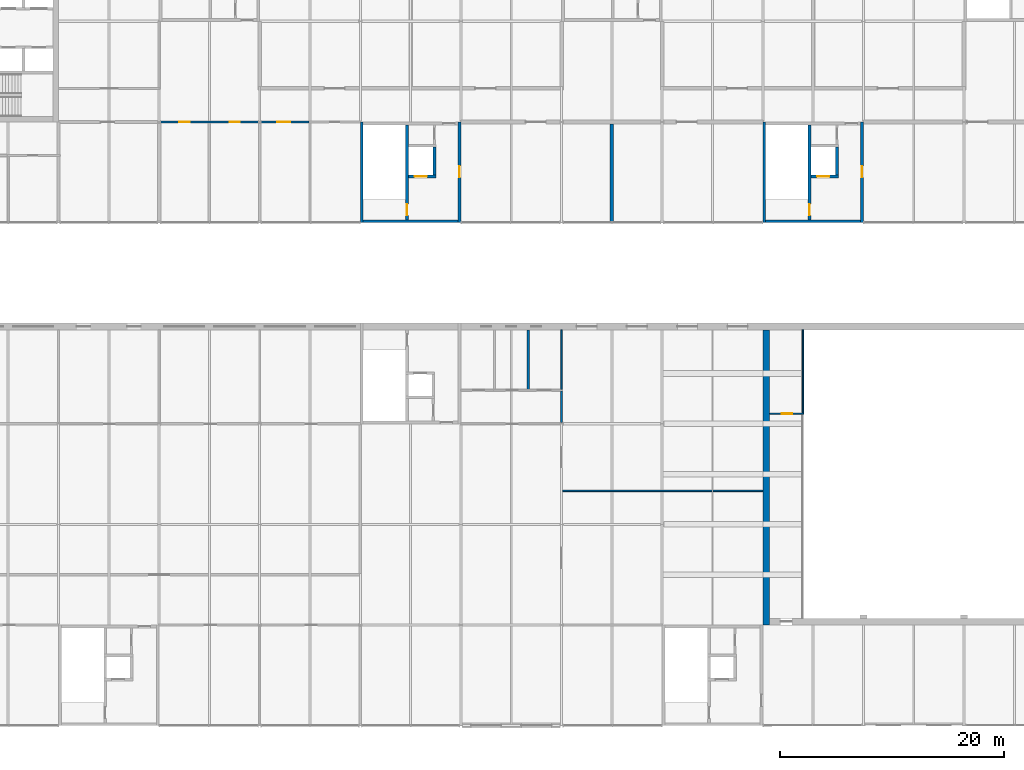
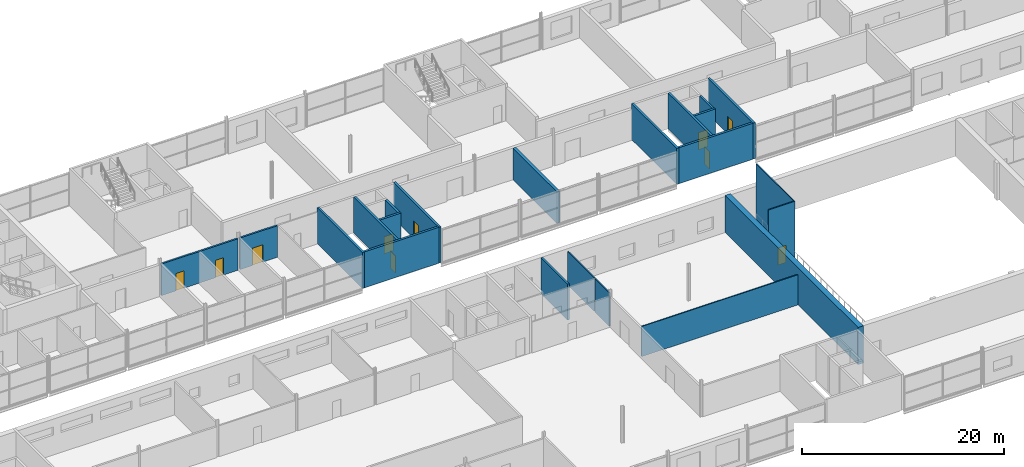
# One storey, part 123 of 138: 22 walls, 10 doors, 10 openings.
"""IFC4 building model written with IfcOpenShell, lengths in metres."""

from ifc_helpers import new_model, si_unit, direction, frame, frame_2d, origin, place, context, subcontext, project, spatial, rectangle, extrude, material, layer, layer_set, type_object, element, fill, save


model = new_model("IFC4")

# Units and contexts
model_context = context("Model", 3, precision=1e-05, world=origin(), true_north=direction((0.0, 1.0)))
body_context = subcontext(model_context, "Body", "Model", "MODEL_VIEW")
ifc_project = project(units=[si_unit("LENGTHUNIT", "METRE"), si_unit("AREAUNIT", "SQUARE_METRE"), si_unit("VOLUMEUNIT", "CUBIC_METRE"), si_unit("PLANEANGLEUNIT", "RADIAN"), si_unit("MASSUNIT", "GRAM", prefix="KILO")], contexts=[model_context])

# Site, building, storey
site_placement = place(None, origin())
site = spatial("IfcSite", under=ifc_project, at=site_placement, CompositionType="ELEMENT")
building_placement = place(site_placement, origin())
building = spatial("IfcBuilding", under=site, at=building_placement, Name="Corbel Yard City Hall", CompositionType="ELEMENT")
storey_placement = place(building_placement, frame((0.0, 0.0, 10.5)))
storey = spatial("IfcBuildingStorey", under=building, at=storey_placement, Name="L02", CompositionType="ELEMENT", Elevation=10.5)

# Walls
ifc_material_1 = material(Name="Concrete N50 (50 MPa)", Category="concrete")
ifc_layer_1 = layer(ifc_material_1, 0.60009765625)
ifc_layer_set_1 = layer_set([ifc_layer_1], Name="Concrete N50 (50 MPa)")
wall_type_1 = type_object("IfcWallType", Name="Chamber wall 600", PredefinedType="SHEAR", material=ifc_layer_set_1)
wall_1_placement = place(storey_placement, frame((117.300048828125, 54.0, 0.0), z_axis=(0.0, 0.0, 1.0), x_axis=(0.0, 1.0, 0.0)))
element("IfcWall", 1, at=wall_1_placement, inside=storey, type_object=wall_type_1, Name="Chamber west wall", PredefinedType="SHEAR", context=body_context, shape_type="SweptSolid", body=[
    extrude(rectangle(XDim=26.39990234375, YDim=0.60009765625, at=frame_2d((13.199951171875, 0.0))), origin(), (0.0, 0.0, 1.0), 4.5),
])
ifc_layer_2 = layer(ifc_material_1, 0.25)
ifc_layer_set_2 = layer_set([ifc_layer_2], Name="Concrete N50 (50 MPa)")
wall_type_2 = type_object("IfcWallType", Name="Core cell wall 250", PredefinedType="SHEAR", material=ifc_layer_set_2)
wall_2_placement = place(storey_placement, frame((81.125, 90.0, 0.0), z_axis=(0.0, 0.0, 1.0), x_axis=(0.0, 1.0, 0.0)))
element("IfcWall", 2, at=wall_2_placement, inside=storey, type_object=wall_type_2, Name="Core PC-N5 west wall", PredefinedType="SHEAR", context=body_context, shape_type="SweptSolid", body=[
    extrude(rectangle(XDim=9.0, YDim=0.25, at=frame_2d((4.5, 0.0))), origin(), (0.0, 0.0, 1.0), 4.35009765625),
])

# Wall, opening, door
wall_3_placement = place(storey_placement, frame((89.875, 90.0, 0.0), z_axis=(0.0, 0.0, 1.0), x_axis=(0.0, 1.0, 0.0)))
wall_3 = element("IfcWall", 3, at=wall_3_placement, inside=storey, type_object=wall_type_2, Name="Core PC-N5 east wall", PredefinedType="SHEAR", context=body_context, shape_type="SweptSolid", body=[
    extrude(rectangle(XDim=9.0, YDim=0.25, at=frame_2d((4.5, 0.0))), origin(), (0.0, 0.0, 1.0), 4.35009765625),
])
opening_1_placement = place(wall_3_placement, frame((4.050048828125, 0.0, 0.0)))
opening_1 = element("IfcOpeningElement", 4, at=opening_1_placement, cuts=wall_3, Name="Opening L02-148", PredefinedType="OPENING", context=body_context, shape_type="SweptSolid", body=[
    extrude(rectangle(XDim=1.0, YDim=2.10009765625, at=frame_2d((0.5, 1.050048828125))), frame((0.0, 0.135009765625, 0.0), z_axis=(0.0, -1.0, 0.0), x_axis=(1.0, 0.0, 0.0)), (0.0, 0.0, 1.0), 0.27001953125),
])
ifc_material_2 = material(Name="Steel Grade G250", Category="steel")
door_type_1 = type_object("IfcDoorType", Name="FS1", OperationType="SINGLE_SWING_LEFT", PredefinedType="DOOR", material=ifc_material_2)
door_1_placement = place(opening_1_placement, frame((1.0, 0.0, 0.0), z_axis=(0.0, 0.0, 1.0), x_axis=(-1.0, 0.0, 0.0)))
door_1 = element("IfcDoor", 5, at=door_1_placement, inside=storey, type_object=door_type_1, Name="Door Lift Lobby", OperationType="SINGLE_SWING_LEFT", OverallHeight=2.10009765625, OverallWidth=1.0, PredefinedType="DOOR", context=body_context, shape_type="SweptSolid", body=[
    extrude(rectangle(XDim=1.0, YDim=2.10009765625, at=frame_2d((0.5, 1.050048828125))), frame((0.0, 0.02490234375, 0.0), z_axis=(0.0, -1.0, 0.0), x_axis=(1.0, 0.0, 0.0)), (0.0, 0.0, 1.0), 0.050048828125),
])
fill(opening_1, door_1)

# Walls
wall_4_placement = place(storey_placement, frame((81.25, 90.125, 0.0), z_axis=(0.0, 0.0, 1.0), x_axis=(1.0, 0.0, 0.0)))
element("IfcWall", 6, at=wall_4_placement, inside=storey, type_object=wall_type_2, Name="Core PC-N5 south wall", PredefinedType="SHEAR", context=body_context, shape_type="SweptSolid", body=[
    extrude(rectangle(XDim=8.5, YDim=0.25, at=frame_2d((4.25, 0.0))), origin(), (0.0, 0.0, 1.0), 4.35009765625),
])
wall_5_placement = place(storey_placement, frame((117.125, 90.0, 0.0), z_axis=(0.0, 0.0, 1.0), x_axis=(0.0, 1.0, 0.0)))
element("IfcWall", 7, at=wall_5_placement, inside=storey, type_object=wall_type_2, Name="Core PC-N6 west wall", PredefinedType="SHEAR", context=body_context, shape_type="SweptSolid", body=[
    extrude(rectangle(XDim=9.0, YDim=0.25, at=frame_2d((4.5, 0.0))), origin(), (0.0, 0.0, 1.0), 4.35009765625),
])

# Wall, opening, door
wall_6_placement = place(storey_placement, frame((125.875, 90.0, 0.0), z_axis=(0.0, 0.0, 1.0), x_axis=(0.0, 1.0, 0.0)))
wall_6 = element("IfcWall", 8, at=wall_6_placement, inside=storey, type_object=wall_type_2, Name="Core PC-N6 east wall", PredefinedType="SHEAR", context=body_context, shape_type="SweptSolid", body=[
    extrude(rectangle(XDim=9.0, YDim=0.25, at=frame_2d((4.5, 0.0))), origin(), (0.0, 0.0, 1.0), 4.35009765625),
])
opening_2_placement = place(wall_6_placement, frame((4.050048828125, 0.0, 0.0)))
opening_2 = element("IfcOpeningElement", 9, at=opening_2_placement, cuts=wall_6, Name="Opening L02-150", PredefinedType="OPENING", context=body_context, shape_type="SweptSolid", body=[
    extrude(rectangle(XDim=1.0, YDim=2.10009765625, at=frame_2d((0.5, 1.050048828125))), frame((0.0, 0.135009765625, 0.0), z_axis=(0.0, -1.0, 0.0), x_axis=(1.0, 0.0, 0.0)), (0.0, 0.0, 1.0), 0.27001953125),
])
door_2_placement = place(opening_2_placement, frame((1.0, 0.0, 0.0), z_axis=(0.0, 0.0, 1.0), x_axis=(-1.0, 0.0, 0.0)))
door_2 = element("IfcDoor", 10, at=door_2_placement, inside=storey, type_object=door_type_1, Name="Door Lift Lobby", OperationType="SINGLE_SWING_LEFT", OverallHeight=2.10009765625, OverallWidth=1.0, PredefinedType="DOOR", context=body_context, shape_type="SweptSolid", body=[
    extrude(rectangle(XDim=1.0, YDim=2.10009765625, at=frame_2d((0.5, 1.050048828125))), frame((0.0, 0.02490234375, 0.0), z_axis=(0.0, -1.0, 0.0), x_axis=(1.0, 0.0, 0.0)), (0.0, 0.0, 1.0), 0.050048828125),
])
fill(opening_2, door_2)

# Wall
wall_7_placement = place(storey_placement, frame((117.25, 90.125, 0.0), z_axis=(0.0, 0.0, 1.0), x_axis=(1.0, 0.0, 0.0)))
element("IfcWall", 11, at=wall_7_placement, inside=storey, type_object=wall_type_2, Name="Core PC-N6 south wall", PredefinedType="SHEAR", context=body_context, shape_type="SweptSolid", body=[
    extrude(rectangle(XDim=8.5, YDim=0.25, at=frame_2d((4.25, 0.0))), origin(), (0.0, 0.0, 1.0), 4.35009765625),
])

# Wall, opening, door
ifc_material_3 = material(Name="Concrete N40 (40 MPa)", Category="concrete")
ifc_layer_3 = layer(ifc_material_3, 0.25)
ifc_layer_set_3 = layer_set([ifc_layer_3], Name="Concrete N40 (40 MPa)")
wall_type_3 = type_object("IfcWallType", Name="IW2", PredefinedType="SOLIDWALL", material=ifc_layer_set_3)
wall_8_placement = place(storey_placement, frame((85.175048828125, 90.25, 0.0), z_axis=(0.0, 0.0, 1.0), x_axis=(0.0, 1.0, 0.0)))
wall_8 = element("IfcWall", 12, at=wall_8_placement, inside=storey, type_object=wall_type_3, Name="Stair enclosure wall", PredefinedType="SOLIDWALL", context=body_context, shape_type="SweptSolid", body=[
    extrude(rectangle(XDim=8.5, YDim=0.25, at=frame_2d((4.25, 0.0))), origin(), (0.0, 0.0, 1.0), 4.35009765625),
])
opening_3_placement = place(wall_8_placement, frame((0.39990234375, 0.0, 0.0)))
opening_3 = element("IfcOpeningElement", 13, at=opening_3_placement, cuts=wall_8, Name="Opening L02-135", PredefinedType="OPENING", context=body_context, shape_type="SweptSolid", body=[
    extrude(rectangle(XDim=1.0, YDim=2.10009765625, at=frame_2d((0.5, 1.050048828125))), frame((0.0, 0.135009765625, 0.0), z_axis=(0.0, -1.0, 0.0), x_axis=(1.0, 0.0, 0.0)), (0.0, 0.0, 1.0), 0.27001953125),
])
door_3_placement = place(opening_3_placement, origin())
door_3 = element("IfcDoor", 14, at=door_3_placement, inside=storey, type_object=door_type_1, Name="Door Exit Stair 20", OperationType="SINGLE_SWING_LEFT", OverallHeight=2.10009765625, OverallWidth=1.0, PredefinedType="DOOR", context=body_context, shape_type="SweptSolid", body=[
    extrude(rectangle(XDim=1.0, YDim=2.10009765625, at=frame_2d((0.5, 1.050048828125))), frame((0.0, 0.02490234375, 0.0), z_axis=(0.0, -1.0, 0.0), x_axis=(1.0, 0.0, 0.0)), (0.0, 0.0, 1.0), 0.050048828125),
])
fill(opening_3, door_3)

wall_9_placement = place(storey_placement, frame((85.300048828125, 94.125, 0.0), z_axis=(0.0, 0.0, 1.0), x_axis=(1.0, 0.0, 0.0)))
wall_9 = element("IfcWall", 15, at=wall_9_placement, inside=storey, type_object=wall_type_3, Name="Lift LP20 shaft wall", PredefinedType="SOLIDWALL", context=body_context, shape_type="SweptSolid", body=[
    extrude(rectangle(XDim=2.449951171875, YDim=0.25, at=frame_2d((1.22509765625, 0.0))), origin(), (0.0, 0.0, 1.0), 4.35009765625),
])
opening_4_placement = place(wall_9_placement, frame((0.550048828125, 0.0, 0.0)))
opening_4 = element("IfcOpeningElement", 16, at=opening_4_placement, cuts=wall_9, Name="Opening L02-125", PredefinedType="OPENING", context=body_context, shape_type="SweptSolid", body=[
    extrude(rectangle(XDim=1.10009765625, YDim=2.10009765625, at=frame_2d((0.550048828125, 1.050048828125))), frame((0.0, 0.135009765625, 0.0), z_axis=(0.0, -1.0, 0.0), x_axis=(1.0, 0.0, 0.0)), (0.0, 0.0, 1.0), 0.27001953125),
])
ifc_material_4 = material(Name="Stainless steel Grade 316", Category="steel")
door_type_2 = type_object("IfcDoorType", Name="LD1", OperationType="DOUBLE_DOOR_SLIDING", PredefinedType="DOOR", material=ifc_material_4)
door_4_placement = place(opening_4_placement, origin())
door_4 = element("IfcDoor", 17, at=door_4_placement, inside=storey, type_object=door_type_2, Name="Lift LP20 landing door", OperationType="DOUBLE_DOOR_SLIDING", OverallHeight=2.10009765625, OverallWidth=1.10009765625, PredefinedType="DOOR", context=body_context, shape_type="SweptSolid", body=[
    extrude(rectangle(XDim=1.10009765625, YDim=2.10009765625, at=frame_2d((0.550048828125, 1.050048828125))), frame((0.0, 0.02490234375, 0.0), z_axis=(0.0, -1.0, 0.0), x_axis=(1.0, 0.0, 0.0)), (0.0, 0.0, 1.0), 0.050048828125),
])
fill(opening_4, door_4)

# Wall
wall_10_placement = place(storey_placement, frame((87.625, 94.25, 0.0), z_axis=(0.0, 0.0, 1.0), x_axis=(0.0, 1.0, 0.0)))
element("IfcWall", 18, at=wall_10_placement, inside=storey, type_object=wall_type_3, Name="Lift LP20 shaft wall", PredefinedType="SOLIDWALL", context=body_context, shape_type="SweptSolid", body=[
    extrude(rectangle(XDim=2.5, YDim=0.25, at=frame_2d((1.25, 0.0))), origin(), (0.0, 0.0, 1.0), 4.35009765625),
])

# Wall, opening, door
wall_11_placement = place(storey_placement, frame((121.175048828125, 90.25, 0.0), z_axis=(0.0, 0.0, 1.0), x_axis=(0.0, 1.0, 0.0)))
wall_11 = element("IfcWall", 19, at=wall_11_placement, inside=storey, type_object=wall_type_3, Name="Stair enclosure wall", PredefinedType="SOLIDWALL", context=body_context, shape_type="SweptSolid", body=[
    extrude(rectangle(XDim=8.5, YDim=0.25, at=frame_2d((4.25, 0.0))), origin(), (0.0, 0.0, 1.0), 4.35009765625),
])
opening_5_placement = place(wall_11_placement, frame((0.39990234375, 0.0, 0.0)))
opening_5 = element("IfcOpeningElement", 20, at=opening_5_placement, cuts=wall_11, Name="Opening L02-137", PredefinedType="OPENING", context=body_context, shape_type="SweptSolid", body=[
    extrude(rectangle(XDim=1.0, YDim=2.10009765625, at=frame_2d((0.5, 1.050048828125))), frame((0.0, 0.135009765625, 0.0), z_axis=(0.0, -1.0, 0.0), x_axis=(1.0, 0.0, 0.0)), (0.0, 0.0, 1.0), 0.27001953125),
])
door_5_placement = place(opening_5_placement, origin())
door_5 = element("IfcDoor", 21, at=door_5_placement, inside=storey, type_object=door_type_1, Name="Door Exit Stair 21", OperationType="SINGLE_SWING_LEFT", OverallHeight=2.10009765625, OverallWidth=1.0, PredefinedType="DOOR", context=body_context, shape_type="SweptSolid", body=[
    extrude(rectangle(XDim=1.0, YDim=2.10009765625, at=frame_2d((0.5, 1.050048828125))), frame((0.0, 0.02490234375, 0.0), z_axis=(0.0, -1.0, 0.0), x_axis=(1.0, 0.0, 0.0)), (0.0, 0.0, 1.0), 0.050048828125),
])
fill(opening_5, door_5)

wall_12_placement = place(storey_placement, frame((121.300048828125, 94.125, 0.0), z_axis=(0.0, 0.0, 1.0), x_axis=(1.0, 0.0, 0.0)))
wall_12 = element("IfcWall", 22, at=wall_12_placement, inside=storey, type_object=wall_type_3, Name="Lift LP21 shaft wall", PredefinedType="SOLIDWALL", context=body_context, shape_type="SweptSolid", body=[
    extrude(rectangle(XDim=2.449951171875, YDim=0.25, at=frame_2d((1.22509765625, 0.0))), origin(), (0.0, 0.0, 1.0), 4.35009765625),
])
opening_6_placement = place(wall_12_placement, frame((0.550048828125, 0.0, 0.0)))
opening_6 = element("IfcOpeningElement", 23, at=opening_6_placement, cuts=wall_12, Name="Opening L02-126", PredefinedType="OPENING", context=body_context, shape_type="SweptSolid", body=[
    extrude(rectangle(XDim=1.10009765625, YDim=2.10009765625, at=frame_2d((0.550048828125, 1.050048828125))), frame((0.0, 0.135009765625, 0.0), z_axis=(0.0, -1.0, 0.0), x_axis=(1.0, 0.0, 0.0)), (0.0, 0.0, 1.0), 0.27001953125),
])
door_6_placement = place(opening_6_placement, origin())
door_6 = element("IfcDoor", 24, at=door_6_placement, inside=storey, type_object=door_type_2, Name="Lift LP21 landing door", OperationType="DOUBLE_DOOR_SLIDING", OverallHeight=2.10009765625, OverallWidth=1.10009765625, PredefinedType="DOOR", context=body_context, shape_type="SweptSolid", body=[
    extrude(rectangle(XDim=1.10009765625, YDim=2.10009765625, at=frame_2d((0.550048828125, 1.050048828125))), frame((0.0, 0.02490234375, 0.0), z_axis=(0.0, -1.0, 0.0), x_axis=(1.0, 0.0, 0.0)), (0.0, 0.0, 1.0), 0.050048828125),
])
fill(opening_6, door_6)

# Walls
wall_13_placement = place(storey_placement, frame((123.625, 94.25, 0.0), z_axis=(0.0, 0.0, 1.0), x_axis=(0.0, 1.0, 0.0)))
element("IfcWall", 25, at=wall_13_placement, inside=storey, type_object=wall_type_3, Name="Lift LP21 shaft wall", PredefinedType="SOLIDWALL", context=body_context, shape_type="SweptSolid", body=[
    extrude(rectangle(XDim=2.5, YDim=0.25, at=frame_2d((1.25, 0.0))), origin(), (0.0, 0.0, 1.0), 4.35009765625),
])
ifc_material_5 = material(Name="Gypsum plasterboard", Category="gypsum")
ifc_layer_4 = layer(ifc_material_5, 0.028076171875)
ifc_material_6 = material(Name="Steel Grade G550 (550 MPa yield)", Category="steel")
ifc_layer_5 = layer(ifc_material_6, 0.06396484375)
ifc_layer_6 = layer(ifc_material_5, 0.028076171875)
ifc_layer_set_4 = layer_set([ifc_layer_4, ifc_layer_5, ifc_layer_6], Name="Steel Grade G550 (550 MPa yield)")
wall_type_4 = type_object("IfcWallType", Name="PT1", PredefinedType="PARTITIONING", material=ifc_layer_set_4)
wall_14_placement = place(storey_placement, frame((99.10009765625, 66.0, 0.0), z_axis=(0.0, 0.0, 1.0), x_axis=(1.0, 0.0, 0.0)))
element("IfcWall", 26, at=wall_14_placement, inside=storey, type_object=wall_type_4, Name="Partition", PredefinedType="PARTITIONING", context=body_context, shape_type="SweptSolid", body=[
    extrude(rectangle(XDim=17.89990234375, YDim=0.1201171875, at=frame_2d((8.949951171875, 0.0))), origin(), (0.0, 0.0, 1.0), 3.64990234375),
])

# Wall, opening, door
wall_15_placement = place(storey_placement, frame((117.60009765625, 72.89990234375, 0.0), z_axis=(0.0, 0.0, 1.0), x_axis=(1.0, 0.0, 0.0)))
wall_15 = element("IfcWall", 27, at=wall_15_placement, inside=storey, type_object=wall_type_4, Name="Partition", PredefinedType="PARTITIONING", context=body_context, shape_type="SweptSolid", body=[
    extrude(rectangle(XDim=3.059814453125, YDim=0.1201171875, at=frame_2d((1.52978515625, 0.0))), origin(), (0.0, 0.0, 1.0), 7.10009765625),
])
opening_7_placement = place(wall_15_placement, frame((1.10009765625, 0.0, 0.0)))
opening_7 = element("IfcOpeningElement", 28, at=opening_7_placement, cuts=wall_15, Name="Opening L02-104", PredefinedType="OPENING", context=body_context, shape_type="SweptSolid", body=[
    extrude(rectangle(XDim=0.919921875, YDim=2.10009765625, at=frame_2d((0.4599609375, 1.050048828125))), frame((0.0, 0.070068359375, 0.0), z_axis=(0.0, -1.0, 0.0), x_axis=(1.0, 0.0, 0.0)), (0.0, 0.0, 1.0), 0.14013671875),
])
ifc_material_7 = material(Name="Timber", Category="wood")
door_type_3 = type_object("IfcDoorType", Name="D4", OperationType="SINGLE_SWING_LEFT", PredefinedType="DOOR", material=ifc_material_7)
door_7_placement = place(opening_7_placement, origin())
door_7 = element("IfcDoor", 29, at=door_7_placement, inside=storey, type_object=door_type_3, Name="Door Interpreters' Booths", OperationType="SINGLE_SWING_RIGHT", OverallHeight=2.10009765625, OverallWidth=0.919921875, PredefinedType="DOOR", context=body_context, shape_type="SweptSolid", body=[
    extrude(rectangle(XDim=0.919921875, YDim=2.10009765625, at=frame_2d((0.4599609375, 1.050048828125))), frame((0.0, 0.02490234375, 0.0), z_axis=(0.0, -1.0, 0.0), x_axis=(1.0, 0.0, 0.0)), (0.0, 0.0, 1.0), 0.050048828125),
])
fill(opening_7, door_7)

# Walls
wall_16_placement = place(storey_placement, frame((99.0, 75.080078125, 0.0), z_axis=(0.0, 0.0, 1.0), x_axis=(0.0, 1.0, 0.0)))
element("IfcWall", 30, at=wall_16_placement, inside=storey, type_object=wall_type_4, Name="Partition", PredefinedType="PARTITIONING", context=body_context, shape_type="SweptSolid", body=[
    extrude(rectangle(XDim=5.31982421875, YDim=0.1201171875, at=frame_2d((2.659912109375, 0.0))), origin(), (0.0, 0.0, 1.0), 4.04296875),
])
wall_17_placement = place(storey_placement, frame((120.60009765625, 72.9599609375, 0.0), z_axis=(0.0, 0.0, 1.0), x_axis=(0.0, 1.0, 0.0)))
element("IfcWall", 31, at=wall_17_placement, inside=storey, type_object=wall_type_4, Name="Partition", PredefinedType="PARTITIONING", context=body_context, shape_type="SweptSolid", body=[
    extrude(rectangle(XDim=7.43994140625, YDim=0.1201171875, at=frame_2d((3.719970703125, 0.0))), origin(), (0.0, 0.0, 1.0), 7.10009765625),
])

# Wall, openings, doors
ifc_layer_7 = layer(ifc_material_5, 0.031982421875)
ifc_layer_8 = layer(ifc_material_6, 0.135986328125)
ifc_layer_9 = layer(ifc_material_5, 0.031982421875)
ifc_layer_set_5 = layer_set([ifc_layer_7, ifc_layer_8, ifc_layer_9], Name="Steel Grade G550 (550 MPa yield)")
wall_type_5 = type_object("IfcWallType", Name="PT2", PredefinedType="PARTITIONING", material=ifc_layer_set_5)
wall_18_placement = place(storey_placement, frame((63.1298828125, 99.0, 0.0), z_axis=(0.0, 0.0, 1.0), x_axis=(1.0, 0.0, 0.0)))
wall_18 = element("IfcWall", 32, at=wall_18_placement, inside=storey, type_object=wall_type_5, Name="Acoustic wall", PredefinedType="PARTITIONING", context=body_context, shape_type="SweptSolid", body=[
    extrude(rectangle(XDim=8.740234375, YDim=0.199951171875, at=frame_2d((4.3701171875, 0.0))), origin(), (0.0, 0.0, 1.0), 3.822021484375),
])
opening_8_placement = place(wall_18_placement, frame((1.669921875, 0.0, 0.0)))
opening_8 = element("IfcOpeningElement", 33, at=opening_8_placement, cuts=wall_18, Name="Opening L02-162", PredefinedType="OPENING", context=body_context, shape_type="SweptSolid", body=[
    extrude(rectangle(XDim=0.919921875, YDim=2.10009765625, at=frame_2d((0.4599609375, 1.050048828125))), frame((0.0, 0.10986328125, 0.0), z_axis=(0.0, -1.0, 0.0), x_axis=(1.0, 0.0, 0.0)), (0.0, 0.0, 1.0), 0.219970703125),
])
opening_9_placement = place(wall_18_placement, frame((6.169921875, 0.0, 0.0)))
opening_9 = element("IfcOpeningElement", 34, at=opening_9_placement, cuts=wall_18, Name="Opening L02-163", PredefinedType="OPENING", context=body_context, shape_type="SweptSolid", body=[
    extrude(rectangle(XDim=0.919921875, YDim=2.10009765625, at=frame_2d((0.4599609375, 1.050048828125))), frame((0.0, 0.10986328125, 0.0), z_axis=(0.0, -1.0, 0.0), x_axis=(1.0, 0.0, 0.0)), (0.0, 0.0, 1.0), 0.219970703125),
])
door_type_4 = type_object("IfcDoorType", Name="D5", OperationType="SINGLE_SWING_RIGHT", PredefinedType="DOOR", material=ifc_material_7)
door_8_placement = place(opening_8_placement, frame((0.919921875, 0.0, 0.0), z_axis=(0.0, 0.0, 1.0), x_axis=(-1.0, 0.0, 0.0)))
door_8 = element("IfcDoor", 35, at=door_8_placement, inside=storey, type_object=door_type_4, Name="Door Women's WC", OperationType="SINGLE_SWING_RIGHT", OverallHeight=2.10009765625, OverallWidth=0.919921875, PredefinedType="DOOR", context=body_context, shape_type="SweptSolid", body=[
    extrude(rectangle(XDim=0.919921875, YDim=2.10009765625, at=frame_2d((0.4599609375, 1.050048828125))), frame((0.0, 0.02490234375, 0.0), z_axis=(0.0, -1.0, 0.0), x_axis=(1.0, 0.0, 0.0)), (0.0, 0.0, 1.0), 0.050048828125),
])
fill(opening_8, door_8)
door_9_placement = place(opening_9_placement, frame((0.919921875, 0.0, 0.0), z_axis=(0.0, 0.0, 1.0), x_axis=(-1.0, 0.0, 0.0)))
door_9 = element("IfcDoor", 36, at=door_9_placement, inside=storey, type_object=door_type_4, Name="Door Men's WC", OperationType="SINGLE_SWING_RIGHT", OverallHeight=2.10009765625, OverallWidth=0.919921875, PredefinedType="DOOR", context=body_context, shape_type="SweptSolid", body=[
    extrude(rectangle(XDim=0.919921875, YDim=2.10009765625, at=frame_2d((0.4599609375, 1.050048828125))), frame((0.0, 0.02490234375, 0.0), z_axis=(0.0, -1.0, 0.0), x_axis=(1.0, 0.0, 0.0)), (0.0, 0.0, 1.0), 0.050048828125),
])
fill(opening_9, door_9)

# Wall, opening, door
wall_19_placement = place(storey_placement, frame((72.1298828125, 99.0, 0.0), z_axis=(0.0, 0.0, 1.0), x_axis=(1.0, 0.0, 0.0)))
wall_19 = element("IfcWall", 37, at=wall_19_placement, inside=storey, type_object=wall_type_5, Name="Acoustic wall", PredefinedType="PARTITIONING", context=body_context, shape_type="SweptSolid", body=[
    extrude(rectangle(XDim=4.2900390625, YDim=0.199951171875, at=frame_2d((2.14501953125, 0.0))), origin(), (0.0, 0.0, 1.0), 3.822021484375),
])
opening_10_placement = place(wall_19_placement, frame((1.419921875, 0.0, 0.0)))
opening_10 = element("IfcOpeningElement", 38, at=opening_10_placement, cuts=wall_19, Name="Opening L02-164", PredefinedType="OPENING", context=body_context, shape_type="SweptSolid", body=[
    extrude(rectangle(XDim=1.199951171875, YDim=2.10009765625, at=frame_2d((0.60009765625, 1.050048828125))), frame((0.0, 0.10986328125, 0.0), z_axis=(0.0, -1.0, 0.0), x_axis=(1.0, 0.0, 0.0)), (0.0, 0.0, 1.0), 0.219970703125),
])
door_type_5 = type_object("IfcDoorType", Name="D7", OperationType="SINGLE_SWING_LEFT", PredefinedType="DOOR", material=ifc_material_7)
door_10_placement = place(opening_10_placement, frame((1.199951171875, 0.0, 0.0), z_axis=(0.0, 0.0, 1.0), x_axis=(-1.0, 0.0, 0.0)))
door_10 = element("IfcDoor", 39, at=door_10_placement, inside=storey, type_object=door_type_5, Name="Door Accessible WC Suite", OperationType="SINGLE_SWING_RIGHT", OverallHeight=2.10009765625, OverallWidth=1.199951171875, PredefinedType="DOOR", context=body_context, shape_type="SweptSolid", body=[
    extrude(rectangle(XDim=1.199951171875, YDim=2.10009765625, at=frame_2d((0.60009765625, 1.050048828125))), frame((0.0, 0.02490234375, 0.0), z_axis=(0.0, -1.0, 0.0), x_axis=(1.0, 0.0, 0.0)), (0.0, 0.0, 1.0), 0.050048828125),
])
fill(opening_10, door_10)

# Walls
ifc_layer_10 = layer(ifc_material_5, 0.031982421875)
ifc_layer_11 = layer(ifc_material_6, 0.260986328125)
ifc_layer_12 = layer(ifc_material_5, 0.031982421875)
ifc_layer_set_6 = layer_set([ifc_layer_10, ifc_layer_11, ifc_layer_12], Name="Steel Grade G550 (550 MPa yield)")
wall_type_6 = type_object("IfcWallType", Name="PT20", PredefinedType="PARTITIONING", material=ifc_layer_set_6)
wall_20_placement = place(storey_placement, frame((103.5, 90.10009765625, 0.0), z_axis=(0.0, 0.0, 1.0), x_axis=(0.0, 1.0, 0.0)))
element("IfcWall", 40, at=wall_20_placement, inside=storey, type_object=wall_type_6, Name="Acoustic partition", PredefinedType="PARTITIONING", context=body_context, shape_type="SweptSolid", body=[
    extrude(rectangle(XDim=8.7373046875, YDim=0.324951171875, at=frame_2d((4.36865234375, 0.0))), origin(), (0.0, 0.0, 1.0), 3.822021484375),
])
ifc_layer_13 = layer(ifc_material_5, 0.031982421875)
ifc_layer_14 = layer(ifc_material_6, 0.095947265625)
ifc_layer_15 = layer(ifc_material_5, 0.031982421875)
ifc_layer_set_7 = layer_set([ifc_layer_13, ifc_layer_14, ifc_layer_15], Name="Steel Grade G550 (550 MPa yield)")
wall_type_7 = type_object("IfcWallType", Name="PT3", PredefinedType="PARTITIONING", material=ifc_layer_set_7)
wall_21_placement = place(storey_placement, frame((99.0, 72.1298828125, 0.0), z_axis=(0.0, 0.0, 1.0), x_axis=(0.0, 1.0, 0.0)))
element("IfcWall", 41, at=wall_21_placement, inside=storey, type_object=wall_type_7, Name="Fire-resisting wall", PredefinedType="PARTITIONING", context=body_context, shape_type="SweptSolid", body=[
    extrude(rectangle(XDim=2.7900390625, YDim=0.159912109375, at=frame_2d((1.39501953125, 0.0))), origin(), (0.0, 0.0, 1.0), 4.04296875),
])
ifc_layer_16 = layer(ifc_material_5, 0.031982421875)
ifc_layer_17 = layer(ifc_material_6, 0.156005859375)
ifc_layer_18 = layer(ifc_material_5, 0.031982421875)
ifc_layer_set_8 = layer_set([ifc_layer_16, ifc_layer_17, ifc_layer_18], Name="Steel Grade G550 (550 MPa yield)")
wall_type_8 = type_object("IfcWallType", Name="PT5", PredefinedType="PLUMBINGWALL", material=ifc_layer_set_8)
wall_22_placement = place(storey_placement, frame((96.0, 75.080078125, 0.0), z_axis=(0.0, 0.0, 1.0), x_axis=(0.0, 1.0, 0.0)))
element("IfcWall", 42, at=wall_22_placement, inside=storey, type_object=wall_type_8, Name="Wet wall", PredefinedType="PLUMBINGWALL", context=body_context, shape_type="SweptSolid", body=[
    extrude(rectangle(XDim=5.31982421875, YDim=0.219970703125, at=frame_2d((2.659912109375, 0.0))), origin(), (0.0, 0.0, 1.0), 4.35009765625),
])

save(model, "model.ifc")
